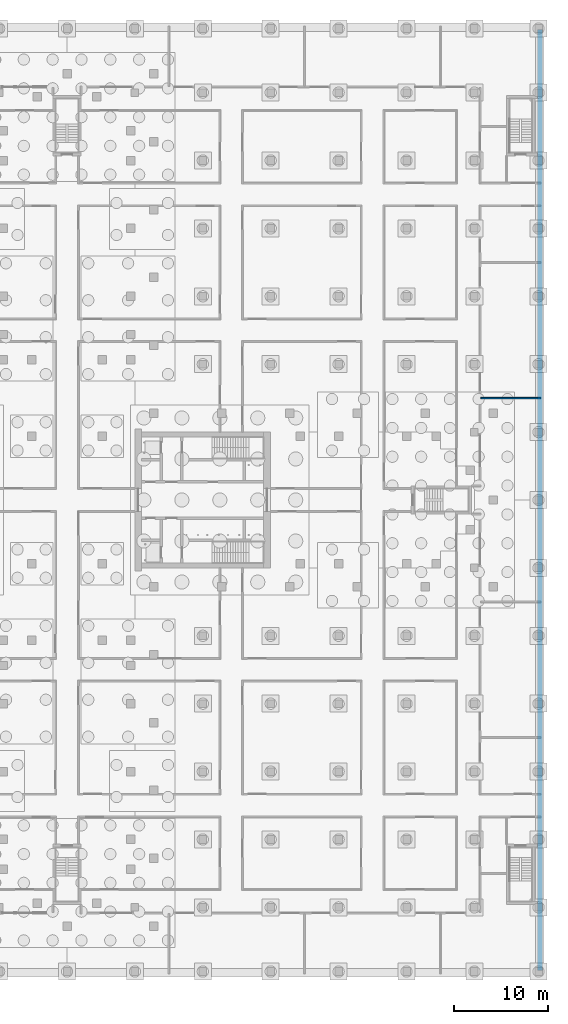
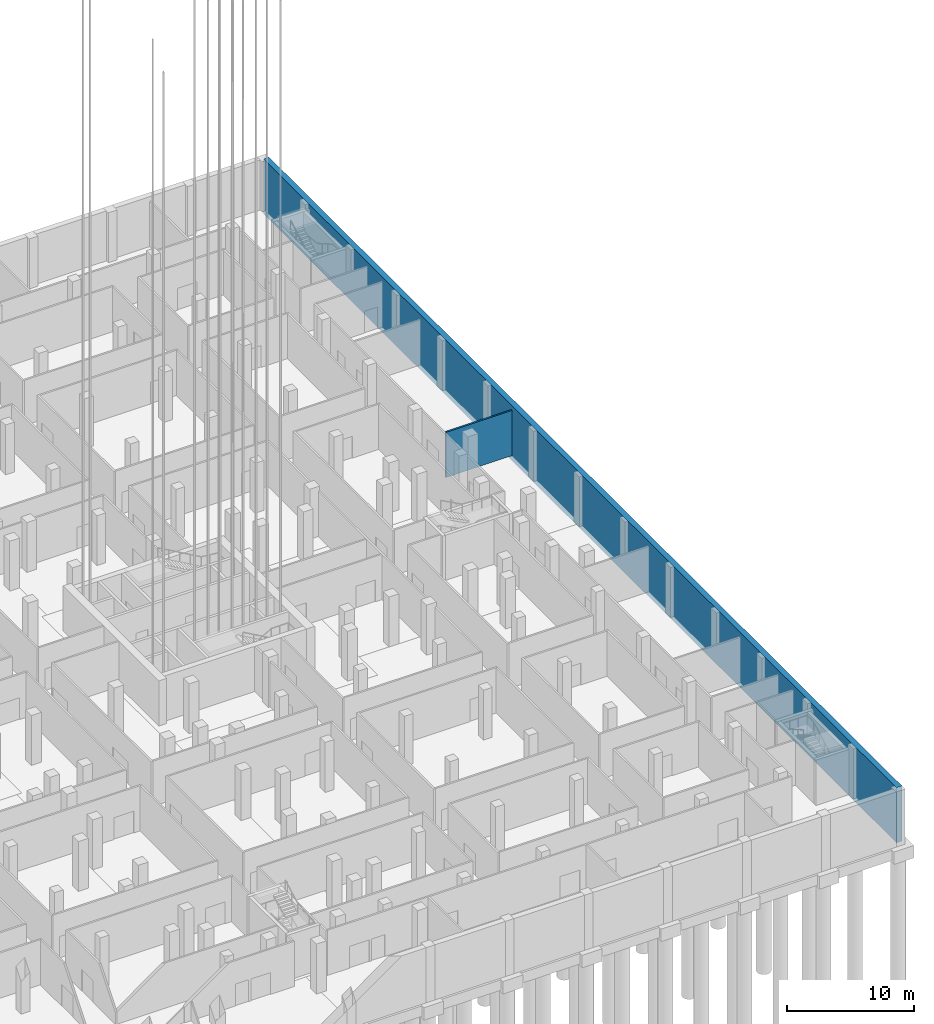
# One storey, part 15 of 54: 2 walls.
"""IFC4 building model written with IfcOpenShell, lengths in metres."""

import ifcopenshell
import ifcopenshell.guid

model = None  # the IFC model being written
_history = None  # IfcOwnerHistory: only IFC2X3 demands one
_inside = {}  # id of a spatial element -> (the spatial element, [elements in it])
_under = {}  # id of a project, library or spatial element -> (it, [spatial elements below it])
_declared = {}  # id of a project -> (the project, [libraries it declares])
_typed = {}  # id of a type object -> (the type object, [elements of that type])
_made_of = {}  # id of a material, layer set ... -> (it, [elements and type objects made of it])


def new_model(schema):
    """Start an empty IFC model of exactly this schema.

    Asked for "IFC4X3", IfcOpenShell would pick the latest addendum, in which some entities
    have other attributes; the version numbers below select the first issue.
    IFC2X3 requires an IfcOwnerHistory on every rooted entity: one is made here for all.
    """
    global model, _history
    if schema == "IFC4X3":
        model = ifcopenshell.file(schema_version=(4, 3, 0, 0))
    else:
        model = ifcopenshell.file(schema=schema)
    _inside.clear()
    _under.clear()
    _declared.clear()
    _typed.clear()
    _made_of.clear()
    _history = None
    if model.schema == "IFC2X3":
        org = make("IfcOrganization", Name="unknown")
        user = make(
            "IfcPersonAndOrganization",
            ThePerson=make("IfcPerson", FamilyName="unknown"),
            TheOrganization=org,
        )
        app = make(
            "IfcApplication",
            ApplicationDeveloper=org,
            Version="unknown",
            ApplicationFullName="unknown",
            ApplicationIdentifier="unknown",
        )
        _history = make(
            "IfcOwnerHistory",
            OwningUser=user,
            OwningApplication=app,
            ChangeAction="ADDED",
            CreationDate=0,
        )
    return model


def make(cls, **values):
    """One entity of the class cls with the attributes given. An attribute that is None is left unset."""
    return model.create_entity(
        cls, **{name: value for name, value in values.items() if value is not None}
    )


def rooted(cls, **values):
    """An entity with a GlobalId (a new one), such as an element, a storey or a relation."""
    return make(cls, GlobalId=ifcopenshell.guid.new(), OwnerHistory=_history, **values)


def si_unit(unit_type, name, prefix=None):
    """IfcSIUnit, for example si_unit("LENGTHUNIT", "METRE", prefix="MILLI")."""
    return make("IfcSIUnit", UnitType=unit_type, Prefix=prefix, Name=name)


def assignment(units):
    """IfcUnitAssignment: the units of a project."""
    return None if units is None else make("IfcUnitAssignment", Units=units)


def point(xyz):
    """IfcCartesianPoint."""
    return None if xyz is None else make("IfcCartesianPoint", Coordinates=xyz)


def direction(xyz):
    """IfcDirection."""
    return None if xyz is None else make("IfcDirection", DirectionRatios=xyz)


def frame(location, z_axis=None, x_axis=None):
    """IfcAxis2Placement3D, a coordinate frame: its origin and axes. An axis left out is left unset."""
    return make(
        "IfcAxis2Placement3D",
        Location=point(location),
        Axis=direction(z_axis),
        RefDirection=direction(x_axis),
    )


def frame_2d(location, x_axis=None):
    """IfcAxis2Placement2D, a coordinate frame in the plane: its origin and x axis."""
    return make(
        "IfcAxis2Placement2D", Location=point(location), RefDirection=direction(x_axis)
    )


def origin():
    """The frame at (0, 0, 0) with its axes left unset."""
    return frame((0.0, 0.0, 0.0))


def place(relative_to, where):
    """IfcLocalPlacement: puts the frame where relative to a parent placement (None: the world)."""
    return make(
        "IfcLocalPlacement", PlacementRelTo=relative_to, RelativePlacement=where
    )


def context(
    kind, dimensions, precision=None, world=None, true_north=None, identifier=None
):
    """IfcGeometricRepresentationContext, for example the 3D "Model" context."""
    return make(
        "IfcGeometricRepresentationContext",
        ContextIdentifier=identifier,
        ContextType=kind,
        CoordinateSpaceDimension=dimensions,
        Precision=precision,
        WorldCoordinateSystem=world,
        TrueNorth=true_north,
    )


def subcontext(parent, identifier, kind, view, scale=None):
    """IfcGeometricRepresentationSubContext, for example "Body" below "Model"."""
    return make(
        "IfcGeometricRepresentationSubContext",
        ContextIdentifier=identifier,
        ContextType=kind,
        ParentContext=parent,
        TargetScale=scale,
        TargetView=view,
    )


def project(units=None, contexts=None):
    """IfcProject with its units and contexts."""
    return rooted(
        "IfcProject",
        Name="project",
        RepresentationContexts=contexts,
        UnitsInContext=assignment(units),
    )


def spatial(cls, under=None, at=None, **own):
    """A site, building, storey or space (cls), placed at a placement, below another one or the project."""
    s = rooted(cls, ObjectPlacement=at, **own)
    if under is not None:
        _under.setdefault(under.id(), (under, []))[1].append(s)
    return s


def profile(cls, at=None, kind="AREA", **sizes):
    """A parametric profile (cls). Its sizes go by their IFC names, for example OverallWidth=200.0."""
    return make(cls, ProfileType=kind, Position=at, **sizes)


def rectangle(**sizes):
    """IfcRectangleProfileDef."""
    return profile("IfcRectangleProfileDef", **sizes)


def extrude(swept, where, along, depth):
    """IfcExtrudedAreaSolid: the profile swept, set in the frame where, extruded along a direction by depth."""
    return make(
        "IfcExtrudedAreaSolid",
        SweptArea=swept,
        Position=where,
        ExtrudedDirection=direction(along),
        Depth=depth,
    )


def shape(context_of_items, identifier, shape_type, items):
    """IfcShapeRepresentation: the items that make up one representation, for example the "Body"."""
    return make(
        "IfcShapeRepresentation",
        ContextOfItems=context_of_items,
        RepresentationIdentifier=identifier,
        RepresentationType=shape_type,
        Items=items,
    )


def material(Name=None, Category=None):
    """IfcMaterial."""
    return make("IfcMaterial", Name=Name, Category=Category)


def layer(
    of_material, thickness, ventilated=None, Name=None, Category=None, Priority=None
):
    """IfcMaterialLayer: one layer of a wall or slab, of a material (None: an air gap)."""
    return make(
        "IfcMaterialLayer",
        Material=of_material,
        LayerThickness=thickness,
        IsVentilated=ventilated,
        Name=Name,
        Category=Category,
        Priority=Priority,
    )


def layer_set(layers, Name=None):
    """IfcMaterialLayerSet."""
    return make("IfcMaterialLayerSet", MaterialLayers=layers, LayerSetName=Name)


def made_of(thing, what):
    """Note that an element or type object is made of a material, layer set ...; save() writes the relation."""
    if what is not None:
        _made_of.setdefault(what.id(), (what, []))[1].append(thing)
    return thing


def type_object(cls, material=None, **own):
    """A type object (cls), such as IfcWallType, which elements share."""
    return made_of(rooted(cls, **own), material)


def element(
    cls,
    number,
    at=None,
    inside=None,
    cuts=None,
    type_object=None,
    material=None,
    context=None,
    identifier="Body",
    shape_type=None,
    held_by="IfcProductDefinitionShape",
    body=None,
    shapes=None,
    **own,
):
    """One element of the class cls, such as IfcWall. Its Tag is "e" and its number.

    at: its placement. inside: the storey or other place that contains it. cuts: it is an
    opening in that element (IfcRelVoidsElement). A single representation is given by context,
    identifier, shape_type and body (its items); several are given by shapes. held_by: the class
    of the entity that holds the representations. save() writes the other relations.
    """
    e = rooted(cls, Tag="e%d" % number, ObjectPlacement=at, **own)
    if body is not None:
        shapes = [shape(context, identifier, shape_type, body)]
    if shapes is not None:
        e.Representation = make(held_by, Representations=shapes)
    if inside is not None:
        _inside.setdefault(inside.id(), (inside, []))[1].append(e)
    if cuts is not None:
        rooted(
            "IfcRelVoidsElement", RelatingBuildingElement=cuts, RelatedOpeningElement=e
        )
    if type_object is not None:
        _typed.setdefault(type_object.id(), (type_object, []))[1].append(e)
    return made_of(e, material)


def aggregate(whole, parts):
    """IfcRelAggregates: a whole, such as a stair, and the parts it consists of."""
    return rooted("IfcRelAggregates", RelatingObject=whole, RelatedObjects=parts)


def save(model, path):
    """Write the relations noted so far, then the file.

    IfcRelAggregates (storeys below a building ...), IfcRelContainedInSpatialStructure (elements
    in a storey), IfcRelDefinesByType, IfcRelAssociatesMaterial and IfcRelDeclares: one each for
    every whole, place, type object, material and project.
    """
    for whole, parts in _under.values():
        aggregate(whole, parts)
    for where, things in _inside.values():
        rooted(
            "IfcRelContainedInSpatialStructure",
            RelatedElements=things,
            RelatingStructure=where,
        )
    for kind, things in _typed.values():
        rooted("IfcRelDefinesByType", RelatedObjects=things, RelatingType=kind)
    for what, things in _made_of.values():
        rooted("IfcRelAssociatesMaterial", RelatedObjects=things, RelatingMaterial=what)
    for by, libraries in _declared.values():
        rooted("IfcRelDeclares", RelatingContext=by, RelatedDefinitions=libraries)
    model.write(path)


model = new_model("IFC4")

# Units and contexts
model_context = context("Model", 3, precision=1e-05, world=origin(), true_north=direction((0.0, 1.0)))
body_context = subcontext(model_context, "Body", "Model", "MODEL_VIEW")
ifc_project = project(units=[si_unit("LENGTHUNIT", "METRE"), si_unit("AREAUNIT", "SQUARE_METRE"), si_unit("VOLUMEUNIT", "CUBIC_METRE"), si_unit("PLANEANGLEUNIT", "RADIAN"), si_unit("MASSUNIT", "GRAM", prefix="KILO")], contexts=[model_context])

# Site, building, storey
site_placement = place(None, origin())
site = spatial("IfcSite", under=ifc_project, at=site_placement, CompositionType="ELEMENT")
building_placement = place(site_placement, origin())
building = spatial("IfcBuilding", under=site, at=building_placement, Name="Fustian Cross Tower", CompositionType="ELEMENT")
storey_placement = place(building_placement, frame((0.0, 0.0, -4.800048828125)))
storey = spatial("IfcBuildingStorey", under=building, at=storey_placement, Name="B1", CompositionType="ELEMENT", Elevation=-4.800048828125)

# Walls
ifc_material_1 = material(Name="Plasterboard on steel stud", Category="steel")
ifc_layer_1 = layer(ifc_material_1, 0.14990234375)
ifc_layer_set_1 = layer_set([ifc_layer_1], Name="Plasterboard on steel stud")
wall_type_1 = type_object("IfcWallType", Name="COMPARTMENT WALL 150 EI 60", PredefinedType="PARTITIONING", material=ifc_layer_set_1)
wall_1_placement = place(storey_placement, frame((43.875, 10.800048828125, 0.0), z_axis=(0.0, 0.0, 1.0), x_axis=(1.0, 0.0, 0.0)))
element("IfcWall", 1, at=wall_1_placement, inside=storey, type_object=wall_type_1, Name="Partition 191", PredefinedType="PARTITIONING", context=body_context, shape_type="SweptSolid", body=[
    extrude(rectangle(XDim=6.344970703125, YDim=0.14990234375, at=frame_2d((3.17236328125, 0.0))), origin(), (0.0, 0.0, 1.0), 4.35009765625),
])
ifc_material_2 = material(Name="Concrete C40/50", Category="concrete")
ifc_layer_2 = layer(ifc_material_2, 0.5)
ifc_layer_set_2 = layer_set([ifc_layer_2], Name="Concrete C40/50")
wall_type_2 = type_object("IfcWallType", Name="RETAINING WALL 500", PredefinedType="SOLIDWALL", material=ifc_layer_set_2)
wall_2_placement = place(storey_placement, frame((50.14990234375, -49.89990234375, -0.5), z_axis=(0.0, 0.0, 1.0), x_axis=(0.0, 1.0, 0.0)))
element("IfcWall", 2, at=wall_2_placement, inside=storey, type_object=wall_type_2, Name="RETAINING WALL E", PredefinedType="SOLIDWALL", context=body_context, shape_type="SweptSolid", body=[
    extrude(rectangle(XDim=99.7998046875, YDim=0.5, at=frame_2d((49.89990234375, 0.0))), origin(), (0.0, 0.0, 1.0), 5.300048828125),
])

save(model, "model.ifc")
